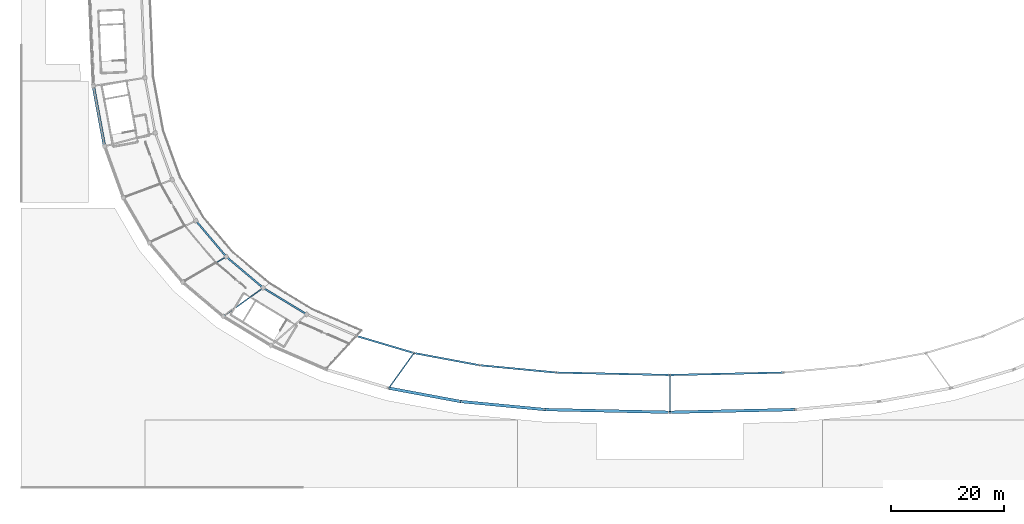
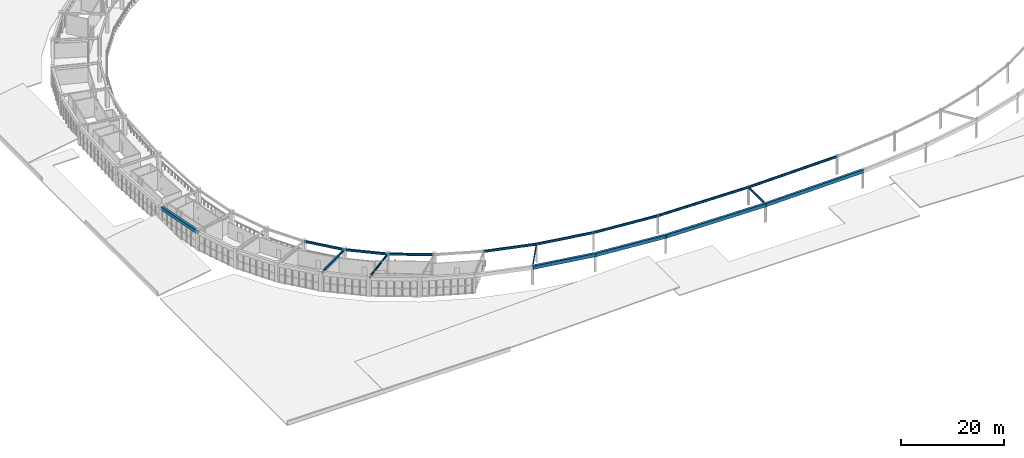
# One storey, part 18 of 45: 17 beams.
"""IFC4 building model written with IfcOpenShell, lengths in metres."""

from ifc_helpers import new_model, si_unit, direction, frame, origin, origin_2d, place, context, subcontext, project, spatial, rectangle, i_section, extrude, material, material_profile, profile_set, type_object, element, save


model = new_model("IFC4")

# Units and contexts
model_context = context("Model", 3, precision=1e-05, world=origin(), true_north=direction((0.0, 1.0)))
body_context = subcontext(model_context, "Body", "Model", "MODEL_VIEW")
ifc_project = project(units=[si_unit("LENGTHUNIT", "METRE"), si_unit("AREAUNIT", "SQUARE_METRE"), si_unit("VOLUMEUNIT", "CUBIC_METRE"), si_unit("PLANEANGLEUNIT", "RADIAN"), si_unit("MASSUNIT", "GRAM", prefix="KILO")], contexts=[model_context])

# Site, building, storey
site_placement = place(None, origin())
site = spatial("IfcSite", under=ifc_project, at=site_placement, CompositionType="ELEMENT")
building_placement = place(site_placement, origin())
building = spatial("IfcBuilding", under=site, at=building_placement, Name="Mphavela Belvedere Stadium", CompositionType="ELEMENT")
storey_placement = place(building_placement, frame((0.0, 0.0, 24.0)))
storey = spatial("IfcBuildingStorey", under=building, at=storey_placement, Name="L05", CompositionType="ELEMENT", Elevation=24.0)

# Beams
ifc_material_1 = material(Name="Concrete C40/50", Category="concrete")
ifc_material_profile_1 = material_profile(ifc_material_1, rectangle(XDim=0.5, YDim=0.800048828125, at=origin_2d()), Name="RC 500x800")
ifc_profile_set_1 = profile_set([ifc_material_profile_1], Name="Concrete C40/50")
beam_type_1 = type_object("IfcBeamType", Name="BM-SPANDREL-800", PredefinedType="SPANDREL", material=ifc_profile_set_1)
beam_1_placement = place(storey_placement, frame((12.844482421875, 71.155029296875, 4.14990234375), z_axis=(0.18264260648, -0.983179372393, 0.0), x_axis=(0.983179372393, 0.18264260648, 0.0)))
element("IfcBeam", 1, at=beam_1_placement, inside=storey, type_object=beam_type_1, Name="Circumferential girder L05 R4-26", PredefinedType="SPANDREL", context=body_context, shape_type="SweptSolid", body=[
    extrude(rectangle(XDim=0.5, YDim=0.800048828125, at=origin_2d()), origin(), (0.0, 0.0, 1.0), 10.90087890625),
])
beam_2_placement = place(storey_placement, frame((65.19873046875, 17.60302734375, 4.14990234375), z_axis=(0.983098571421, -0.183077029882, 0.0), x_axis=(0.183077029882, 0.983098571421, 0.0)))
element("IfcBeam", 2, at=beam_2_placement, inside=storey, type_object=beam_type_1, Name="Circumferential girder L05 R4-34", PredefinedType="SPANDREL", context=body_context, shape_type="SweptSolid", body=[
    extrude(rectangle(XDim=0.5, YDim=0.800048828125, at=origin_2d()), origin(), (0.0, 0.0, 1.0), 12.947265625),
])
beam_3_placement = place(storey_placement, frame((77.92724609375, 15.232666015625, 4.14990234375), z_axis=(0.995483415661, -0.094935605244, 0.0), x_axis=(0.094935605244, 0.995483415661, 0.0)))
element("IfcBeam", 3, at=beam_3_placement, inside=storey, type_object=beam_type_1, Name="Circumferential girder L05 R4-35", PredefinedType="SPANDREL", context=body_context, shape_type="SweptSolid", body=[
    extrude(rectangle(XDim=0.5, YDim=0.800048828125, at=origin_2d()), origin(), (0.0, 0.0, 1.0), 15.026123046875),
])
for number, where, z_axis, x_axis, name in (
    (4, (92.885498046875, 13.80615234375, 4.14990234375), (0.999768359718, -0.021522706765, 0.0), (0.021522706765, 0.999768359718, 0.0), "Circumferential girder L05 R4-36"),
    (5, (115.0, 13.330078125, 4.14990234375), (0.999768359718, 0.021522706765, 0.0), (-0.021522706765, 0.999768359718, 0.0), "Circumferential girder L05 R4-37"),
):
    element("IfcBeam", number, at=place(storey_placement, frame(where, z_axis=z_axis, x_axis=x_axis)), inside=storey, type_object=beam_type_1, Name=name, PredefinedType="SPANDREL", context=body_context, shape_type="SweptSolid", body=[
        extrude(rectangle(XDim=0.5, YDim=0.800048828125, at=origin_2d()), origin(), (0.0, 0.0, 1.0), 22.11962890625),
    ])
ifc_material_2 = material(Name="Steel S355", Category="steel")
ifc_material_profile_2 = material_profile(ifc_material_2, i_section(OverallWidth=0.300048828125, OverallDepth=0.489990234375, WebThickness=0.011962890625, FlangeThickness=0.02294921875, at=origin_2d()), Name="HEA 500")
ifc_profile_set_2 = profile_set([ifc_material_profile_2], Name="Steel S355")
beam_type_2 = type_object("IfcBeamType", Name="BM-STEEL-HEA500", PredefinedType="BEAM", material=ifc_profile_set_2)
beam_4_placement = place(storey_placement, frame((31.0244140625, 47.251708984375, 4.304931640625), z_axis=(0.645177396673, -0.764032804808, 0.0), x_axis=(0.764032804808, 0.645177396673, 0.0)))
element("IfcBeam", 6, at=beam_4_placement, inside=storey, type_object=beam_type_2, Name="Circumferential girder L05 R3-29", PredefinedType="BEAM", context=body_context, shape_type="SweptSolid", body=[
    extrude(i_section(OverallWidth=0.300048828125, OverallDepth=0.489990234375, WebThickness=0.011962890625, FlangeThickness=0.02294921875, at=origin_2d()), origin(), (0.0, 0.0, 1.0), 8.331298828125),
])
beam_5_placement = place(storey_placement, frame((36.399658203125, 40.88623046875, 4.304931640625), z_axis=(0.764263355392, -0.644904274761, 0.0), x_axis=(0.644904274761, 0.764263355392, 0.0)))
element("IfcBeam", 7, at=beam_5_placement, inside=storey, type_object=beam_type_2, Name="Circumferential girder L05 R3-30", PredefinedType="BEAM", context=body_context, shape_type="SweptSolid", body=[
    extrude(i_section(OverallWidth=0.300048828125, OverallDepth=0.489990234375, WebThickness=0.011962890625, FlangeThickness=0.02294921875, at=origin_2d()), origin(), (0.0, 0.0, 1.0), 8.55615234375),
])
beam_6_placement = place(storey_placement, frame((42.938720703125, 35.368408203125, 4.304931640625), z_axis=(0.854315160357, -0.519755333579, 0.0), x_axis=(0.519755333579, 0.854315160357, 0.0)))
element("IfcBeam", 8, at=beam_6_placement, inside=storey, type_object=beam_type_2, Name="Circumferential girder L05 R3-31", PredefinedType="BEAM", context=body_context, shape_type="SweptSolid", body=[
    extrude(i_section(OverallWidth=0.300048828125, OverallDepth=0.489990234375, WebThickness=0.011962890625, FlangeThickness=0.02294921875, at=origin_2d()), origin(), (0.0, 0.0, 1.0), 9.014404296875),
])
beam_7_placement = place(storey_placement, frame((59.523681640625, 26.83203125, 4.304931640625), z_axis=(0.958655230784, -0.284570111731, 0.0), x_axis=(0.284570111731, 0.958655230784, 0.0)))
element("IfcBeam", 9, at=beam_7_placement, inside=storey, type_object=beam_type_2, Name="Circumferential girder L05 R3-33", PredefinedType="BEAM", context=body_context, shape_type="SweptSolid", body=[
    extrude(i_section(OverallWidth=0.300048828125, OverallDepth=0.489990234375, WebThickness=0.011962890625, FlangeThickness=0.02294921875, at=origin_2d()), origin(), (0.0, 0.0, 1.0), 10.57568359375),
])
beam_8_placement = place(storey_placement, frame((69.662109375, 23.822509765625, 4.304931640625), z_axis=(0.983097725009, -0.18308157494, 0.0), x_axis=(0.18308157494, 0.983097725009, 0.0)))
element("IfcBeam", 10, at=beam_8_placement, inside=storey, type_object=beam_type_2, Name="Circumferential girder L05 R3-34", PredefinedType="BEAM", context=body_context, shape_type="SweptSolid", body=[
    extrude(i_section(OverallWidth=0.300048828125, OverallDepth=0.489990234375, WebThickness=0.011962890625, FlangeThickness=0.02294921875, at=origin_2d()), origin(), (0.0, 0.0, 1.0), 11.786865234375),
])
beam_9_placement = place(storey_placement, frame((81.249755859375, 21.66455078125, 4.304931640625), z_axis=(0.995483834103, -0.094931217412, 0.0), x_axis=(0.094931217412, 0.995483834103, 0.0)))
element("IfcBeam", 11, at=beam_9_placement, inside=storey, type_object=beam_type_2, Name="Circumferential girder L05 R3-35", PredefinedType="BEAM", context=body_context, shape_type="SweptSolid", body=[
    extrude(i_section(OverallWidth=0.300048828125, OverallDepth=0.489990234375, WebThickness=0.011962890625, FlangeThickness=0.02294921875, at=origin_2d()), origin(), (0.0, 0.0, 1.0), 13.67919921875),
])
for number, where, z_axis, x_axis, name in (
    (12, (94.8671875, 20.365966796875, 4.304931640625), (0.999768427465, -0.02151955955, 0.0), (0.02151955955, 0.999768427465, 0.0), "Circumferential girder L05 R3-36"),
    (13, (115.0, 19.9326171875, 4.304931640625), (0.999768427465, 0.02151955955, 0.0), (-0.02151955955, 0.999768427465, 0.0), "Circumferential girder L05 R3-37"),
):
    element("IfcBeam", number, at=place(storey_placement, frame(where, z_axis=z_axis, x_axis=x_axis)), inside=storey, type_object=beam_type_2, Name=name, PredefinedType="BEAM", context=body_context, shape_type="SweptSolid", body=[
        extrude(i_section(OverallWidth=0.300048828125, OverallDepth=0.489990234375, WebThickness=0.011962890625, FlangeThickness=0.02294921875, at=origin_2d()), origin(), (0.0, 0.0, 1.0), 20.137451171875),
    ])
ifc_material_3 = material(Name="Steel S355", Category="steel")
ifc_material_profile_3 = material_profile(ifc_material_3, i_section(OverallWidth=0.199951171875, OverallDepth=0.5, WebThickness=0.01025390625, FlangeThickness=0.01611328125, at=origin_2d()), Name="IPE 500")
ifc_profile_set_3 = profile_set([ifc_material_profile_3], Name="Steel S355")
beam_type_3 = type_object("IfcBeamType", Name="BM-STEEL-IPE500", PredefinedType="BEAM", material=ifc_profile_set_3)
beam_10_placement = place(storey_placement, frame((36.399658203125, 40.88623046875, 4.300048828125), z_axis=(-0.862517779395, -0.506026758411, 0.0), x_axis=(0.506026758411, -0.862517779395, 0.0)))
element("IfcBeam", 14, at=beam_10_placement, inside=storey, type_object=beam_type_3, Name="Radial concourse girder L05 R3R4-30", PredefinedType="BEAM", context=body_context, shape_type="SweptSolid", body=[
    extrude(i_section(OverallWidth=0.199951171875, OverallDepth=0.5, WebThickness=0.01025390625, FlangeThickness=0.01611328125, at=origin_2d()), origin(), (0.0, 0.0, 1.0), 8.971435546875),
])
beam_11_placement = place(storey_placement, frame((42.938720703125, 35.368408203125, 4.300048828125), z_axis=(-0.812882024932, -0.582428376319, 0.0), x_axis=(0.582428376319, -0.812882024932, 0.0)))
element("IfcBeam", 15, at=beam_11_placement, inside=storey, type_object=beam_type_3, Name="Radial concourse girder L05 R3R4-31", PredefinedType="BEAM", context=body_context, shape_type="SweptSolid", body=[
    extrude(i_section(OverallWidth=0.199951171875, OverallDepth=0.5, WebThickness=0.01025390625, FlangeThickness=0.01611328125, at=origin_2d()), origin(), (0.0, 0.0, 1.0), 8.727294921875),
])
beam_12_placement = place(storey_placement, frame((69.662109375, 23.822509765625, 4.300048828125), z_axis=(-0.583043812448, -0.812440713385, 0.0), x_axis=(0.812440713385, -0.583043812448, 0.0)))
element("IfcBeam", 16, at=beam_12_placement, inside=storey, type_object=beam_type_3, Name="Radial concourse girder L05 R3R4-34", PredefinedType="BEAM", context=body_context, shape_type="SweptSolid", body=[
    extrude(i_section(OverallWidth=0.199951171875, OverallDepth=0.5, WebThickness=0.01025390625, FlangeThickness=0.01611328125, at=origin_2d()), origin(), (0.0, 0.0, 1.0), 7.6552734375),
])
beam_13_placement = place(storey_placement, frame((115.0, 19.9326171875, 4.300048828125), z_axis=(0.0, -1.0, 0.0), x_axis=(1.0, 0.0, 0.0)))
element("IfcBeam", 17, at=beam_13_placement, inside=storey, type_object=beam_type_3, Name="Radial concourse girder L05 R3R4-37", PredefinedType="BEAM", context=body_context, shape_type="SweptSolid", body=[
    extrude(i_section(OverallWidth=0.199951171875, OverallDepth=0.5, WebThickness=0.01025390625, FlangeThickness=0.01611328125, at=origin_2d()), origin(), (0.0, 0.0, 1.0), 6.6025390625),
])

save(model, "model.ifc")
